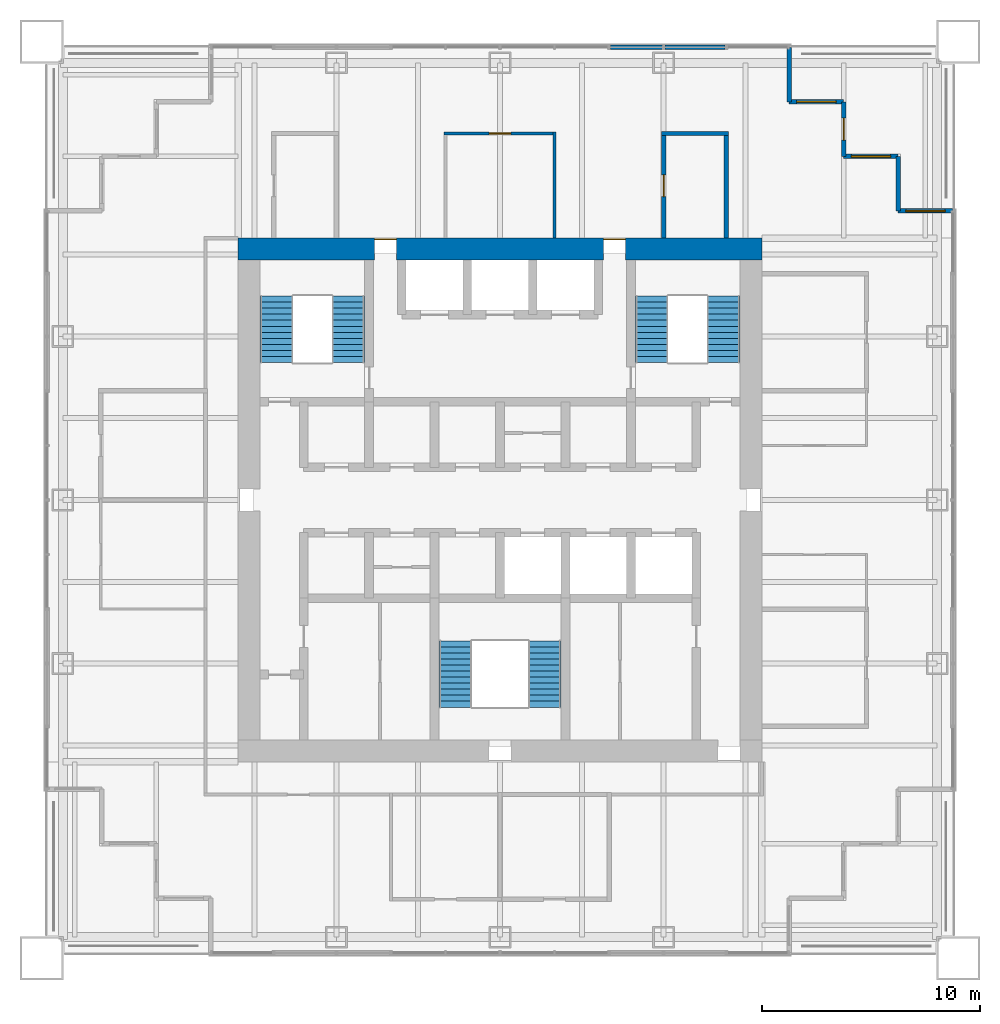
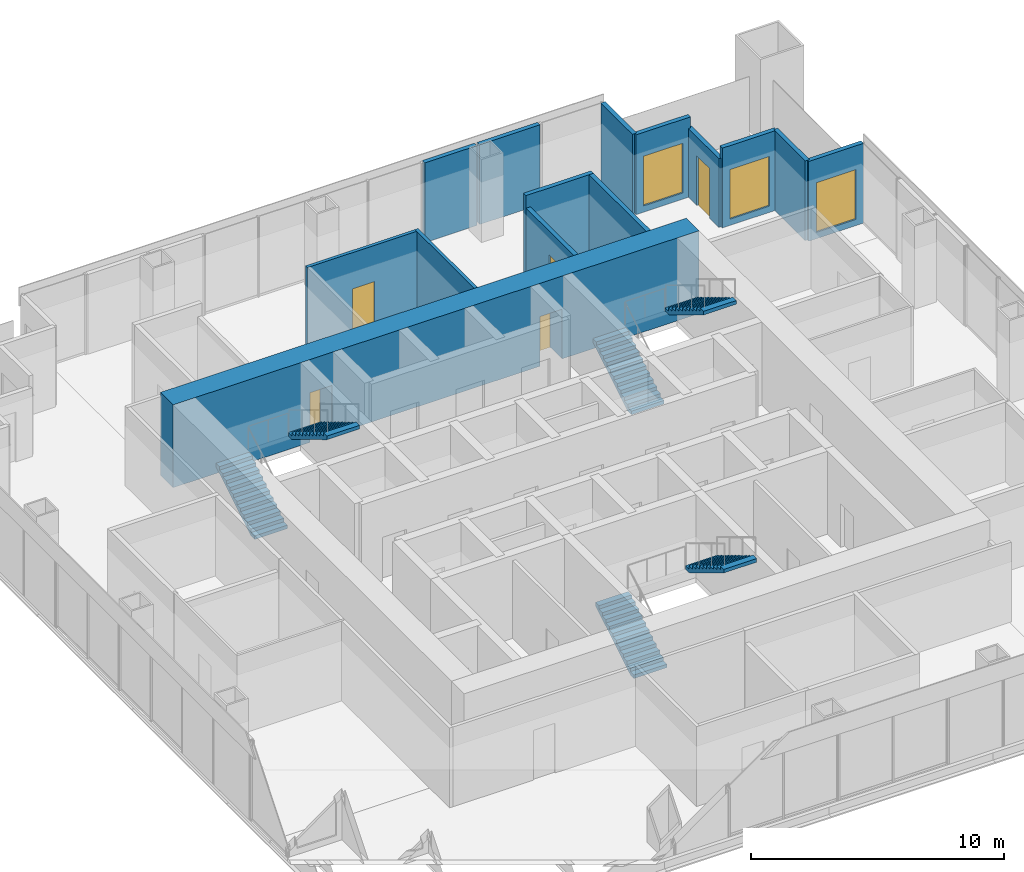
# One storey, part 12 of 14: 14 walls, 6 stair flights, 5 doors, 3 windows, 8 openings, 3 elements without a shape of their own.
"""IFC4 building model written with IfcOpenShell, lengths in metres."""

from ifc_helpers import new_model, si_unit, direction, frame, frame_2d, origin, place, context, subcontext, project, spatial, polyline, rectangle, outline, extrude, material, layer, layer_set, type_object, element, fill, aggregate, save


model = new_model("IFC4")

# Units and contexts
model_context = context("Model", 3, precision=1e-05, world=origin(), true_north=direction((0.0, 1.0)))
body_context = subcontext(model_context, "Body", "Model", "MODEL_VIEW")
ifc_project = project(units=[si_unit("LENGTHUNIT", "METRE"), si_unit("AREAUNIT", "SQUARE_METRE"), si_unit("VOLUMEUNIT", "CUBIC_METRE"), si_unit("PLANEANGLEUNIT", "RADIAN"), si_unit("MASSUNIT", "GRAM", prefix="KILO")], contexts=[model_context])

# Site, building, storey
site_placement = place(None, origin())
site = spatial("IfcSite", under=ifc_project, at=site_placement, CompositionType="ELEMENT")
building_placement = place(site_placement, origin())
building = spatial("IfcBuilding", under=site, at=building_placement, Name="Tarangal Relay Tower", CompositionType="ELEMENT")
storey_placement = place(building_placement, frame((0.0, 0.0, 307.89990234375)))
storey = spatial("IfcBuildingStorey", under=building, at=storey_placement, Name="L68", CompositionType="ELEMENT", Elevation=307.89990234375)

# Wall
ifc_material_1 = material(Name="Two layers gypsum board each side on twin steel studs, mineral wool", Category="steel")
ifc_layer_1 = layer(ifc_material_1, 0.199951171875)
ifc_layer_set_1 = layer_set([ifc_layer_1], Name="Acoustic partition 200")
wall_type_1 = type_object("IfcWallType", Name="Acoustic partition 200", PredefinedType="PARTITIONING", material=ifc_layer_set_1)
wall_1_placement = place(storey_placement, frame((7.39990234375, 16.800048828125, 0.0), z_axis=(0.0, 0.0, 1.0), x_axis=(1.0, 0.0, 0.0)))
element("IfcWall", 1, at=wall_1_placement, inside=storey, type_object=wall_type_1, Name="Partition PT2 L68", PredefinedType="PARTITIONING", context=body_context, shape_type="SweptSolid", body=[
    extrude(rectangle(XDim=3.0751953125, YDim=0.199951171875, at=frame_2d((1.53759765625, 0.0))), origin(), (0.0, 0.0, 1.0), 3.85009765625),
])

# Wall, opening, door
wall_2_placement = place(storey_placement, frame((7.5, 12.0, 0.0), z_axis=(0.0, 0.0, 1.0), x_axis=(0.0, 1.0, 0.0)))
wall_2 = element("IfcWall", 2, at=wall_2_placement, inside=storey, type_object=wall_type_1, Name="Partition PT2 L68", PredefinedType="PARTITIONING", context=body_context, shape_type="SweptSolid", body=[
    extrude(rectangle(XDim=4.89990234375, YDim=0.199951171875, at=frame_2d((2.449951171875, 0.0))), origin(), (0.0, 0.0, 1.0), 3.2431640625),
])
opening_1_placement = place(wall_2_placement, frame((1.89990234375, 0.0, 0.0)))
opening_1 = element("IfcOpeningElement", 3, at=opening_1_placement, cuts=wall_2, Name="Opening D2", PredefinedType="OPENING", context=body_context, shape_type="SweptSolid", body=[
    extrude(rectangle(XDim=1.0, YDim=2.10009765625, at=frame_2d((0.5, 1.050048828125))), frame((0.0, 0.10986328125, 0.0), z_axis=(0.0, -1.0, 0.0), x_axis=(1.0, 0.0, 0.0)), (0.0, 0.0, 1.0), 0.219970703125),
])
ifc_material_2 = material(Name="Hardwood door", Category="wood")
door_type_1 = type_object("IfcDoorType", Name="Door 1000 x 2100", OperationType="SINGLE_SWING_LEFT", PredefinedType="DOOR", material=ifc_material_2)
door_1_placement = place(opening_1_placement, origin())
door_1 = element("IfcDoor", 4, at=door_1_placement, inside=storey, type_object=door_type_1, Name="Door D2 to phone room L68-04", OperationType="SINGLE_SWING_LEFT", OverallHeight=2.10009765625, OverallWidth=1.0, PredefinedType="DOOR", context=body_context, shape_type="SweptSolid", body=[
    extrude(rectangle(XDim=1.0, YDim=2.10009765625, at=frame_2d((0.5, 1.050048828125))), frame((0.0, 0.02490234375, 0.0), z_axis=(0.0, -1.0, 0.0), x_axis=(1.0, 0.0, 0.0)), (0.0, 0.0, 1.0), 0.050048828125),
])
fill(opening_1, door_1)

# Wall
wall_3_placement = place(storey_placement, frame((10.375, 12.0, 0.0), z_axis=(0.0, 0.0, 1.0), x_axis=(0.0, 1.0, 0.0)))
element("IfcWall", 5, at=wall_3_placement, inside=storey, type_object=wall_type_1, Name="Partition PT2 L68", PredefinedType="PARTITIONING", context=body_context, shape_type="SweptSolid", body=[
    extrude(rectangle(XDim=4.89990234375, YDim=0.199951171875, at=frame_2d((2.449951171875, 0.0))), origin(), (0.0, 0.0, 1.0), 3.85009765625),
])

# Wall, openings, doors
ifc_material_3 = material(Name="Concrete fc' 60 MPa", Category="concrete")
ifc_layer_2 = layer(ifc_material_3, 1.0)
ifc_layer_set_2 = layer_set([ifc_layer_2], Name="Core wall 1000")
wall_type_2 = type_object("IfcWallType", Name="Core wall 1000", PredefinedType="SHEAR", material=ifc_layer_set_2)
wall_4_placement = place(storey_placement, frame((-12.0, 11.5, 0.0), z_axis=(0.0, 0.0, 1.0), x_axis=(1.0, 0.0, 0.0)))
wall_4 = element("IfcWall", 6, at=wall_4_placement, inside=storey, type_object=wall_type_2, Name="Core wall N L68", PredefinedType="SHEAR", context=body_context, shape_type="SweptSolid", body=[
    extrude(rectangle(XDim=24.0, YDim=1.0, at=frame_2d((12.0, 0.0))), origin(), (0.0, 0.0, 1.0), 4.0),
])
opening_2_placement = place(wall_4_placement, frame((6.25, 0.0, 0.0)))
opening_2 = element("IfcOpeningElement", 7, at=opening_2_placement, cuts=wall_4, Name="Opening FD3", PredefinedType="OPENING", context=body_context, shape_type="SweptSolid", body=[
    extrude(rectangle(XDim=1.0, YDim=2.39990234375, at=frame_2d((0.5, 1.199951171875))), frame((0.0, 0.510009765625, 0.0), z_axis=(0.0, -1.0, 0.0), x_axis=(1.0, 0.0, 0.0)), (0.0, 0.0, 1.0), 1.02001953125),
])
opening_3_placement = place(wall_4_placement, frame((16.75, 0.0, 0.0)))
opening_3 = element("IfcOpeningElement", 8, at=opening_3_placement, cuts=wall_4, Name="Opening FD3", PredefinedType="OPENING", context=body_context, shape_type="SweptSolid", body=[
    extrude(rectangle(XDim=1.0, YDim=2.39990234375, at=frame_2d((0.5, 1.199951171875))), frame((0.0, 0.510009765625, 0.0), z_axis=(0.0, -1.0, 0.0), x_axis=(1.0, 0.0, 0.0)), (0.0, 0.0, 1.0), 1.02001953125),
])
ifc_material_4 = material(Name="Steel door with hardwood frame", Category="steel")
door_type_2 = type_object("IfcDoorType", Name="Fire door 1000 x 2400 core entry", OperationType="SINGLE_SWING_RIGHT", PredefinedType="DOOR", material=ifc_material_4)
door_2_placement = place(opening_2_placement, origin())
door_2 = element("IfcDoor", 9, at=door_2_placement, inside=storey, type_object=door_type_2, Name="Core entry door north west L68", OperationType="SINGLE_SWING_RIGHT", OverallHeight=2.39990234375, OverallWidth=1.0, PredefinedType="DOOR", context=body_context, shape_type="SweptSolid", body=[
    extrude(rectangle(XDim=1.0, YDim=2.39990234375, at=frame_2d((0.5, 1.199951171875))), frame((0.0, 0.48486328125, 0.0), z_axis=(0.0, -1.0, 0.0), x_axis=(1.0, 0.0, 0.0)), (0.0, 0.0, 1.0), 0.050048828125),
])
fill(opening_2, door_2)
door_3_placement = place(opening_3_placement, origin())
door_3 = element("IfcDoor", 10, at=door_3_placement, inside=storey, type_object=door_type_2, Name="Core entry door north east L68", OperationType="SINGLE_SWING_RIGHT", OverallHeight=2.39990234375, OverallWidth=1.0, PredefinedType="DOOR", context=body_context, shape_type="SweptSolid", body=[
    extrude(rectangle(XDim=1.0, YDim=2.39990234375, at=frame_2d((0.5, 1.199951171875))), frame((0.0, 0.48486328125, 0.0), z_axis=(0.0, -1.0, 0.0), x_axis=(1.0, 0.0, 0.0)), (0.0, 0.0, 1.0), 0.050048828125),
])
fill(opening_3, door_3)

# Wall
ifc_material_5 = material(Name="Black metal clad insulated wall", Category="steel")
ifc_layer_3 = layer(ifc_material_5, 0.199951171875)
ifc_layer_set_3 = layer_set([ifc_layer_3], Name="Corner wall metal clad 200")
wall_type_3 = type_object("IfcWallType", Name="Corner wall metal clad 200", PredefinedType="SOLIDWALL", material=ifc_layer_set_3)
wall_5_placement = place(storey_placement, frame((13.25, 20.75, 0.0), z_axis=(0.0, 0.0, 1.0), x_axis=(0.0, -1.0, 0.0)))
element("IfcWall", 11, at=wall_5_placement, inside=storey, type_object=wall_type_3, Name="Facade wall N facade L68", PredefinedType="SOLIDWALL", context=body_context, shape_type="SweptSolid", body=[
    extrude(rectangle(XDim=2.5, YDim=0.199951171875, at=frame_2d((1.25, 0.0))), origin(), (0.0, 0.0, 1.0), 3.85009765625),
])

# Wall, opening, window
wall_6_placement = place(storey_placement, frame((13.25, 18.25, 0.0), z_axis=(0.0, 0.0, 1.0), x_axis=(1.0, 0.0, 0.0)))
wall_6 = element("IfcWall", 12, at=wall_6_placement, inside=storey, type_object=wall_type_3, Name="Facade wall N facade L68", PredefinedType="SOLIDWALL", context=body_context, shape_type="SweptSolid", body=[
    extrude(rectangle(XDim=2.5, YDim=0.199951171875, at=frame_2d((1.25, 0.0))), origin(), (0.0, 0.0, 1.0), 3.85009765625),
])
opening_4_placement = place(wall_6_placement, frame((0.35009765625, 0.0, 0.300048828125)))
opening_4 = element("IfcOpeningElement", 13, at=opening_4_placement, cuts=wall_6, Name="Opening WN2", PredefinedType="OPENING", context=body_context, shape_type="SweptSolid", body=[
    extrude(rectangle(XDim=1.800048828125, YDim=2.39990234375, at=frame_2d((0.89990234375, 1.199951171875))), frame((0.0, 0.10986328125, 0.0), z_axis=(0.0, -1.0, 0.0), x_axis=(1.0, 0.0, 0.0)), (0.0, 0.0, 1.0), 0.219970703125),
])
ifc_material_6 = material(Name="Dark tinted double glazing in black aluminium frame", Category="aluminium")
window_type = type_object("IfcWindowType", Name="Corner window 1800 x 2400", PartitioningType="SINGLE_PANEL", PredefinedType="WINDOW", material=ifc_material_6)
window_1_placement = place(opening_4_placement, origin())
window_1 = element("IfcWindow", 14, at=window_1_placement, inside=storey, type_object=window_type, Name="Corner window WN2 N facade L68", OverallHeight=2.39990234375, OverallWidth=1.800048828125, PartitioningType="SINGLE_PANEL", PredefinedType="WINDOW", context=body_context, shape_type="SweptSolid", body=[
    extrude(rectangle(XDim=1.800048828125, YDim=2.39990234375, at=frame_2d((0.89990234375, 1.199951171875))), frame((0.0, 0.030029296875, 0.0), z_axis=(0.0, -1.0, 0.0), x_axis=(1.0, 0.0, 0.0)), (0.0, 0.0, 1.0), 0.06005859375),
])
fill(opening_4, window_1)

# Wall, opening, door
wall_7_placement = place(storey_placement, frame((15.75, 18.25, 0.0), z_axis=(0.0, 0.0, 1.0), x_axis=(0.0, -1.0, 0.0)))
wall_7 = element("IfcWall", 15, at=wall_7_placement, inside=storey, type_object=wall_type_3, Name="Facade wall N facade L68", PredefinedType="SOLIDWALL", context=body_context, shape_type="SweptSolid", body=[
    extrude(rectangle(XDim=2.5, YDim=0.199951171875, at=frame_2d((1.25, 0.0))), origin(), (0.0, 0.0, 1.0), 3.316650390625),
])
opening_5_placement = place(wall_7_placement, frame((0.75, 0.0, 0.0)))
opening_5 = element("IfcOpeningElement", 16, at=opening_5_placement, cuts=wall_7, Name="Opening TD1", PredefinedType="OPENING", context=body_context, shape_type="SweptSolid", body=[
    extrude(rectangle(XDim=1.0, YDim=2.39990234375, at=frame_2d((0.5, 1.199951171875))), frame((0.0, 0.10986328125, 0.0), z_axis=(0.0, -1.0, 0.0), x_axis=(1.0, 0.0, 0.0)), (0.0, 0.0, 1.0), 0.219970703125),
])
ifc_material_7 = material(Name="Aluminium glazed door", Category="aluminium")
door_type_3 = type_object("IfcDoorType", Name="Terrace door 1000 x 2400", OperationType="SINGLE_SWING_RIGHT", PredefinedType="DOOR", material=ifc_material_7)
door_4_placement = place(opening_5_placement, origin())
door_4 = element("IfcDoor", 17, at=door_4_placement, inside=storey, type_object=door_type_3, Name="Terrace door TD1 NE L68", OperationType="SINGLE_SWING_RIGHT", OverallHeight=2.39990234375, OverallWidth=1.0, PredefinedType="DOOR", context=body_context, shape_type="SweptSolid", body=[
    extrude(rectangle(XDim=1.0, YDim=2.39990234375, at=frame_2d((0.5, 1.199951171875))), frame((0.0, 0.02490234375, 0.0), z_axis=(0.0, -1.0, 0.0), x_axis=(1.0, 0.0, 0.0)), (0.0, 0.0, 1.0), 0.050048828125),
])
fill(opening_5, door_4)

# Wall, opening, window
wall_8_placement = place(storey_placement, frame((15.75, 15.75, 0.0), z_axis=(0.0, 0.0, 1.0), x_axis=(1.0, 0.0, 0.0)))
wall_8 = element("IfcWall", 18, at=wall_8_placement, inside=storey, type_object=wall_type_3, Name="Facade wall N facade L68", PredefinedType="SOLIDWALL", context=body_context, shape_type="SweptSolid", body=[
    extrude(rectangle(XDim=2.5, YDim=0.199951171875, at=frame_2d((1.25, 0.0))), origin(), (0.0, 0.0, 1.0), 3.85009765625),
])
opening_6_placement = place(wall_8_placement, frame((0.35009765625, 0.0, 0.300048828125)))
opening_6 = element("IfcOpeningElement", 19, at=opening_6_placement, cuts=wall_8, Name="Opening WN2", PredefinedType="OPENING", context=body_context, shape_type="SweptSolid", body=[
    extrude(rectangle(XDim=1.800048828125, YDim=2.39990234375, at=frame_2d((0.89990234375, 1.199951171875))), frame((0.0, 0.10986328125, 0.0), z_axis=(0.0, -1.0, 0.0), x_axis=(1.0, 0.0, 0.0)), (0.0, 0.0, 1.0), 0.219970703125),
])
window_2_placement = place(opening_6_placement, origin())
window_2 = element("IfcWindow", 20, at=window_2_placement, inside=storey, type_object=window_type, Name="Corner window WN2 N facade L68", OverallHeight=2.39990234375, OverallWidth=1.800048828125, PartitioningType="SINGLE_PANEL", PredefinedType="WINDOW", context=body_context, shape_type="SweptSolid", body=[
    extrude(rectangle(XDim=1.800048828125, YDim=2.39990234375, at=frame_2d((0.89990234375, 1.199951171875))), frame((0.0, 0.030029296875, 0.0), z_axis=(0.0, -1.0, 0.0), x_axis=(1.0, 0.0, 0.0)), (0.0, 0.0, 1.0), 0.06005859375),
])
fill(opening_6, window_2)

# Wall
wall_9_placement = place(storey_placement, frame((18.25, 15.75, 0.0), z_axis=(0.0, 0.0, 1.0), x_axis=(0.0, -1.0, 0.0)))
element("IfcWall", 21, at=wall_9_placement, inside=storey, type_object=wall_type_3, Name="Facade wall N facade L68", PredefinedType="SOLIDWALL", context=body_context, shape_type="SweptSolid", body=[
    extrude(rectangle(XDim=2.5, YDim=0.199951171875, at=frame_2d((1.25, 0.0))), origin(), (0.0, 0.0, 1.0), 3.85009765625),
])

# Wall, opening, window
wall_10_placement = place(storey_placement, frame((18.25, 13.25, 0.0), z_axis=(0.0, 0.0, 1.0), x_axis=(1.0, 0.0, 0.0)))
wall_10 = element("IfcWall", 22, at=wall_10_placement, inside=storey, type_object=wall_type_3, Name="Facade wall N facade L68", PredefinedType="SOLIDWALL", context=body_context, shape_type="SweptSolid", body=[
    extrude(rectangle(XDim=2.5, YDim=0.199951171875, at=frame_2d((1.25, 0.0))), origin(), (0.0, 0.0, 1.0), 3.85009765625),
])
opening_7_placement = place(wall_10_placement, frame((0.35009765625, 0.0, 0.300048828125)))
opening_7 = element("IfcOpeningElement", 23, at=opening_7_placement, cuts=wall_10, Name="Opening WN2", PredefinedType="OPENING", context=body_context, shape_type="SweptSolid", body=[
    extrude(rectangle(XDim=1.800048828125, YDim=2.39990234375, at=frame_2d((0.89990234375, 1.199951171875))), frame((0.0, 0.10986328125, 0.0), z_axis=(0.0, -1.0, 0.0), x_axis=(1.0, 0.0, 0.0)), (0.0, 0.0, 1.0), 0.219970703125),
])
window_3_placement = place(opening_7_placement, origin())
window_3 = element("IfcWindow", 24, at=window_3_placement, inside=storey, type_object=window_type, Name="Corner window WN2 N facade L68", OverallHeight=2.39990234375, OverallWidth=1.800048828125, PartitioningType="SINGLE_PANEL", PredefinedType="WINDOW", context=body_context, shape_type="SweptSolid", body=[
    extrude(rectangle(XDim=1.800048828125, YDim=2.39990234375, at=frame_2d((0.89990234375, 1.199951171875))), frame((0.0, 0.030029296875, 0.0), z_axis=(0.0, -1.0, 0.0), x_axis=(1.0, 0.0, 0.0)), (0.0, 0.0, 1.0), 0.06005859375),
])
fill(opening_7, window_3)

# Walls
ifc_layer_4 = layer(ifc_material_5, 0.199951171875)
ifc_layer_set_4 = layer_set([ifc_layer_4], Name="Facade infill wall metal clad 200")
wall_type_4 = type_object("IfcWallType", Name="Facade infill wall metal clad 200", PredefinedType="SOLIDWALL", material=ifc_layer_set_4)
wall_11_placement = place(storey_placement, frame((5.06005859375, 20.75, 0.0), z_axis=(0.0, 0.0, 1.0), x_axis=(1.0, 0.0, 0.0)))
element("IfcWall", 25, at=wall_11_placement, inside=storey, type_object=wall_type_4, Name="Facade infill wall N facade L68 1.1", PredefinedType="SOLIDWALL", context=body_context, shape_type="SweptSolid", body=[
    extrude(rectangle(XDim=2.3798828125, YDim=0.199951171875, at=frame_2d((1.18994140625, 0.0))), origin(), (0.0, 0.0, 1.0), 3.85009765625),
])
wall_12_placement = place(storey_placement, frame((7.56005859375, 20.75, 0.0), z_axis=(0.0, 0.0, 1.0), x_axis=(1.0, 0.0, 0.0)))
element("IfcWall", 26, at=wall_12_placement, inside=storey, type_object=wall_type_4, Name="Facade infill wall N facade L68 1.1", PredefinedType="SOLIDWALL", context=body_context, shape_type="SweptSolid", body=[
    extrude(rectangle(XDim=2.7548828125, YDim=0.199951171875, at=frame_2d((1.37744140625, 0.0))), origin(), (0.0, 0.0, 1.0), 3.85009765625),
])

# Wall, opening, door
ifc_material_8 = material(Name="Gypsum board on steel studs", Category="steel")
ifc_layer_5 = layer(ifc_material_8, 0.14990234375)
ifc_layer_set_5 = layer_set([ifc_layer_5], Name="Partition 150")
wall_type_5 = type_object("IfcWallType", Name="Partition 150", PredefinedType="PARTITIONING", material=ifc_layer_set_5)
wall_13_placement = place(storey_placement, frame((-2.574951171875, 16.800048828125, 0.0), z_axis=(0.0, 0.0, 1.0), x_axis=(1.0, 0.0, 0.0)))
wall_13 = element("IfcWall", 27, at=wall_13_placement, inside=storey, type_object=wall_type_5, Name="Partition PT1 L68", PredefinedType="PARTITIONING", context=body_context, shape_type="SweptSolid", body=[
    extrude(rectangle(XDim=5.14990234375, YDim=0.14990234375, at=frame_2d((2.574951171875, 0.0))), origin(), (0.0, 0.0, 1.0), 3.85009765625),
])
opening_8_placement = place(wall_13_placement, frame((2.074951171875, 0.0, 0.0)))
opening_8 = element("IfcOpeningElement", 28, at=opening_8_placement, cuts=wall_13, Name="Opening D2", PredefinedType="OPENING", context=body_context, shape_type="SweptSolid", body=[
    extrude(rectangle(XDim=1.0, YDim=2.10009765625, at=frame_2d((0.5, 1.050048828125))), frame((0.0, 0.0849609375, 0.0), z_axis=(0.0, -1.0, 0.0), x_axis=(1.0, 0.0, 0.0)), (0.0, 0.0, 1.0), 0.169921875),
])
door_5_placement = place(opening_8_placement, origin())
door_5 = element("IfcDoor", 29, at=door_5_placement, inside=storey, type_object=door_type_1, Name="Door D2 to tea pantry L68-03", OperationType="SINGLE_SWING_LEFT", OverallHeight=2.10009765625, OverallWidth=1.0, PredefinedType="DOOR", context=body_context, shape_type="SweptSolid", body=[
    extrude(rectangle(XDim=1.0, YDim=2.10009765625, at=frame_2d((0.5, 1.050048828125))), frame((0.0, 0.02490234375, 0.0), z_axis=(0.0, -1.0, 0.0), x_axis=(1.0, 0.0, 0.0)), (0.0, 0.0, 1.0), 0.050048828125),
])
fill(opening_8, door_5)

# Wall
wall_14_placement = place(storey_placement, frame((2.5, 12.0, 0.0), z_axis=(0.0, 0.0, 1.0), x_axis=(0.0, 1.0, 0.0)))
element("IfcWall", 30, at=wall_14_placement, inside=storey, type_object=wall_type_5, Name="Partition PT1 L68", PredefinedType="PARTITIONING", context=body_context, shape_type="SweptSolid", body=[
    extrude(rectangle(XDim=4.875, YDim=0.14990234375, at=frame_2d((2.4375, 0.0))), origin(), (0.0, 0.0, 1.0), 3.85009765625),
])

# Stair, stair flights
ifc_material_9 = material(Name="Steel ASTM A992 stair flight", Category="steel")
stair_type = type_object("IfcStairType", Name="Core stair 1500", PredefinedType="HALF_TURN_STAIR", material=ifc_material_9)
stair_1_placement = place(storey_placement, origin())
stair_1 = element("IfcStair", 31, at=stair_1_placement, inside=storey, type_object=stair_type, Name="Stair ST-A L68", PredefinedType="HALF_TURN_STAIR")
stair_flight_type = type_object("IfcStairFlightType", Name="Steel stair flight 1500, 12 risers 167 x 277", PredefinedType="STRAIGHT", material=ifc_material_9)
stair_flight_1_placement = place(storey_placement, frame((-10.25, 6.300048828125, 0.0), z_axis=(0.0, 0.0, 1.0), x_axis=(0.0, 1.0, 0.0)))
stair_flight_1 = element("IfcStairFlight", 32, at=stair_flight_1_placement, type_object=stair_flight_type, Name="ST-A flight 1", NumberOfRisers=12, NumberOfTreads=11, PredefinedType="STRAIGHT", RiserHeight=0.166666667, TreadLength=0.277, context=body_context, shape_type="SweptSolid", body=[
    extrude(outline(polyline([(0.0, 0.0), (0.0, 0.166748046875), (0.277099609375, 0.166748046875), (0.277099609375, 0.333251953125), (0.553955078125, 0.333251953125), (0.553955078125, 0.5), (0.8310546875, 0.5), (0.8310546875, 0.666748046875), (1.10791015625, 0.666748046875), (1.10791015625, 0.833251953125), (1.385009765625, 0.833251953125), (1.385009765625, 1.0), (1.662109375, 1.0), (1.662109375, 1.166748046875), (1.93896484375, 1.166748046875), (1.93896484375, 1.333251953125), (2.216064453125, 1.333251953125), (2.216064453125, 1.5), (2.492919921875, 1.5), (2.492919921875, 1.666748046875), (2.77001953125, 1.666748046875), (2.77001953125, 1.833251953125), (3.047119140625, 1.833251953125), (3.047119140625, 2.0), (3.047119140625, 1.658447265625), (0.290771484375, 0.0), (0.0, 0.0)])), frame((0.0, 0.75, 0.0), z_axis=(0.0, -1.0, 0.0), x_axis=(1.0, 0.0, 0.0)), (0.0, 0.0, 1.0), 1.5),
])
stair_flight_2_placement = place(storey_placement, frame((-6.949951171875, 9.346923828125, 2.0), z_axis=(0.0, 0.0, 1.0), x_axis=(0.0, -1.0, 0.0)))
stair_flight_2 = element("IfcStairFlight", 33, at=stair_flight_2_placement, type_object=stair_flight_type, Name="ST-A flight 2", NumberOfRisers=12, NumberOfTreads=11, PredefinedType="STRAIGHT", RiserHeight=0.166666667, TreadLength=0.277, context=body_context, shape_type="SweptSolid", body=[
    extrude(outline(polyline([(0.0, 0.0), (0.0, 0.166748046875), (0.277099609375, 0.166748046875), (0.277099609375, 0.333251953125), (0.553955078125, 0.333251953125), (0.553955078125, 0.5), (0.8310546875, 0.5), (0.8310546875, 0.666748046875), (1.10791015625, 0.666748046875), (1.10791015625, 0.833251953125), (1.385009765625, 0.833251953125), (1.385009765625, 1.0), (1.662109375, 1.0), (1.662109375, 1.166748046875), (1.93896484375, 1.166748046875), (1.93896484375, 1.333251953125), (2.216064453125, 1.333251953125), (2.216064453125, 1.5), (2.492919921875, 1.5), (2.492919921875, 1.666748046875), (2.77001953125, 1.666748046875), (2.77001953125, 1.833251953125), (3.047119140625, 1.833251953125), (3.047119140625, 2.0), (3.047119140625, 1.658447265625), (0.290771484375, 0.0), (0.0, 0.0)])), frame((0.0, 0.75, 0.0), z_axis=(0.0, -1.0, 0.0), x_axis=(1.0, 0.0, 0.0)), (0.0, 0.0, 1.0), 1.5),
])
aggregate(stair_1, [stair_flight_1, stair_flight_2])

stair_2_placement = place(storey_placement, origin())
stair_2 = element("IfcStair", 34, at=stair_2_placement, inside=storey, type_object=stair_type, Name="Stair ST-B L68", PredefinedType="HALF_TURN_STAIR")
stair_flight_3_placement = place(storey_placement, frame((6.949951171875, 6.300048828125, 0.0), z_axis=(0.0, 0.0, 1.0), x_axis=(0.0, 1.0, 0.0)))
stair_flight_3 = element("IfcStairFlight", 35, at=stair_flight_3_placement, type_object=stair_flight_type, Name="ST-B flight 1", NumberOfRisers=12, NumberOfTreads=11, PredefinedType="STRAIGHT", RiserHeight=0.166666667, TreadLength=0.277, context=body_context, shape_type="SweptSolid", body=[
    extrude(outline(polyline([(0.0, 0.0), (0.0, 0.166748046875), (0.277099609375, 0.166748046875), (0.277099609375, 0.333251953125), (0.553955078125, 0.333251953125), (0.553955078125, 0.5), (0.8310546875, 0.5), (0.8310546875, 0.666748046875), (1.10791015625, 0.666748046875), (1.10791015625, 0.833251953125), (1.385009765625, 0.833251953125), (1.385009765625, 1.0), (1.662109375, 1.0), (1.662109375, 1.166748046875), (1.93896484375, 1.166748046875), (1.93896484375, 1.333251953125), (2.216064453125, 1.333251953125), (2.216064453125, 1.5), (2.492919921875, 1.5), (2.492919921875, 1.666748046875), (2.77001953125, 1.666748046875), (2.77001953125, 1.833251953125), (3.047119140625, 1.833251953125), (3.047119140625, 2.0), (3.047119140625, 1.658447265625), (0.290771484375, 0.0), (0.0, 0.0)])), frame((0.0, 0.75, 0.0), z_axis=(0.0, -1.0, 0.0), x_axis=(1.0, 0.0, 0.0)), (0.0, 0.0, 1.0), 1.5),
])
stair_flight_4_placement = place(storey_placement, frame((10.25, 9.346923828125, 2.0), z_axis=(0.0, 0.0, 1.0), x_axis=(0.0, -1.0, 0.0)))
stair_flight_4 = element("IfcStairFlight", 36, at=stair_flight_4_placement, type_object=stair_flight_type, Name="ST-B flight 2", NumberOfRisers=12, NumberOfTreads=11, PredefinedType="STRAIGHT", RiserHeight=0.166666667, TreadLength=0.277, context=body_context, shape_type="SweptSolid", body=[
    extrude(outline(polyline([(0.0, 0.0), (0.0, 0.166748046875), (0.277099609375, 0.166748046875), (0.277099609375, 0.333251953125), (0.553955078125, 0.333251953125), (0.553955078125, 0.5), (0.8310546875, 0.5), (0.8310546875, 0.666748046875), (1.10791015625, 0.666748046875), (1.10791015625, 0.833251953125), (1.385009765625, 0.833251953125), (1.385009765625, 1.0), (1.662109375, 1.0), (1.662109375, 1.166748046875), (1.93896484375, 1.166748046875), (1.93896484375, 1.333251953125), (2.216064453125, 1.333251953125), (2.216064453125, 1.5), (2.492919921875, 1.5), (2.492919921875, 1.666748046875), (2.77001953125, 1.666748046875), (2.77001953125, 1.833251953125), (3.047119140625, 1.833251953125), (3.047119140625, 2.0), (3.047119140625, 1.658447265625), (0.290771484375, 0.0), (0.0, 0.0)])), frame((0.0, 0.75, 0.0), z_axis=(0.0, -1.0, 0.0), x_axis=(1.0, 0.0, 0.0)), (0.0, 0.0, 1.0), 1.5),
])
aggregate(stair_2, [stair_flight_3, stair_flight_4])

stair_3_placement = place(storey_placement, origin())
stair_3 = element("IfcStair", 37, at=stair_3_placement, inside=storey, type_object=stair_type, Name="Stair ST-C L68", PredefinedType="HALF_TURN_STAIR")
stair_flight_5_placement = place(storey_placement, frame((-2.050048828125, -9.5, 0.0), z_axis=(0.0, 0.0, 1.0), x_axis=(0.0, 1.0, 0.0)))
stair_flight_5 = element("IfcStairFlight", 38, at=stair_flight_5_placement, type_object=stair_flight_type, Name="ST-C flight 1", NumberOfRisers=12, NumberOfTreads=11, PredefinedType="STRAIGHT", RiserHeight=0.166666667, TreadLength=0.277, context=body_context, shape_type="SweptSolid", body=[
    extrude(outline(polyline([(0.0, 0.0), (0.0, 0.166748046875), (0.277099609375, 0.166748046875), (0.277099609375, 0.333251953125), (0.553955078125, 0.333251953125), (0.553955078125, 0.5), (0.8310546875, 0.5), (0.8310546875, 0.666748046875), (1.10791015625, 0.666748046875), (1.10791015625, 0.833251953125), (1.385009765625, 0.833251953125), (1.385009765625, 1.0), (1.662109375, 1.0), (1.662109375, 1.166748046875), (1.93896484375, 1.166748046875), (1.93896484375, 1.333251953125), (2.216064453125, 1.333251953125), (2.216064453125, 1.5), (2.492919921875, 1.5), (2.492919921875, 1.666748046875), (2.77001953125, 1.666748046875), (2.77001953125, 1.833251953125), (3.047119140625, 1.833251953125), (3.047119140625, 2.0), (3.047119140625, 1.658447265625), (0.290771484375, 0.0), (0.0, 0.0)])), frame((0.0, 0.75, 0.0), z_axis=(0.0, -1.0, 0.0), x_axis=(1.0, 0.0, 0.0)), (0.0, 0.0, 1.0), 1.5),
])
stair_flight_6_placement = place(storey_placement, frame((2.050048828125, -6.452880859375, 2.0), z_axis=(0.0, 0.0, 1.0), x_axis=(0.0, -1.0, 0.0)))
stair_flight_6 = element("IfcStairFlight", 39, at=stair_flight_6_placement, type_object=stair_flight_type, Name="ST-C flight 2", NumberOfRisers=12, NumberOfTreads=11, PredefinedType="STRAIGHT", RiserHeight=0.166666667, TreadLength=0.277, context=body_context, shape_type="SweptSolid", body=[
    extrude(outline(polyline([(0.0, 0.0), (0.0, 0.166748046875), (0.277099609375, 0.166748046875), (0.277099609375, 0.333251953125), (0.553955078125, 0.333251953125), (0.553955078125, 0.5), (0.8310546875, 0.5), (0.8310546875, 0.666748046875), (1.10791015625, 0.666748046875), (1.10791015625, 0.833251953125), (1.385009765625, 0.833251953125), (1.385009765625, 1.0), (1.662109375, 1.0), (1.662109375, 1.166748046875), (1.93896484375, 1.166748046875), (1.93896484375, 1.333251953125), (2.216064453125, 1.333251953125), (2.216064453125, 1.5), (2.492919921875, 1.5), (2.492919921875, 1.666748046875), (2.77001953125, 1.666748046875), (2.77001953125, 1.833251953125), (3.047119140625, 1.833251953125), (3.047119140625, 2.0), (3.047119140625, 1.658447265625), (0.290771484375, 0.0), (0.0, 0.0)])), frame((0.0, 0.75, 0.0), z_axis=(0.0, -1.0, 0.0), x_axis=(1.0, 0.0, 0.0)), (0.0, 0.0, 1.0), 1.5),
])
aggregate(stair_3, [stair_flight_5, stair_flight_6])

save(model, "model.ifc")
